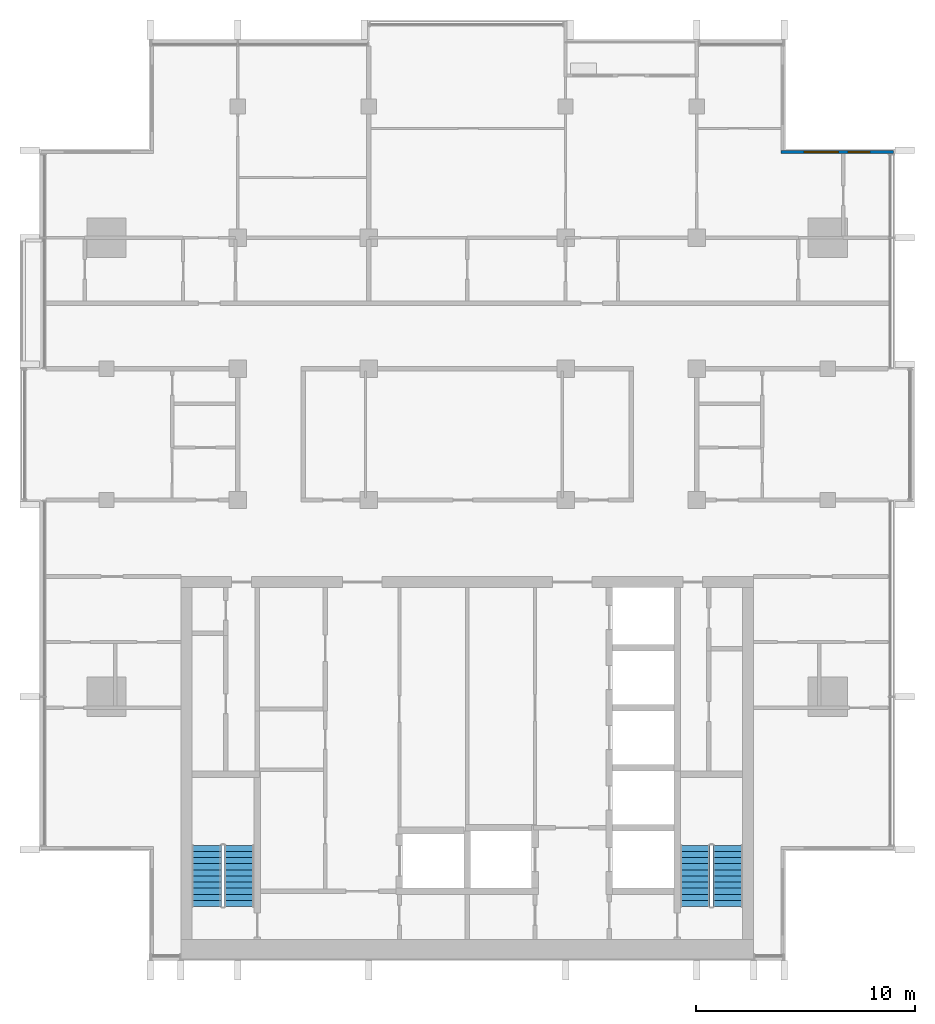
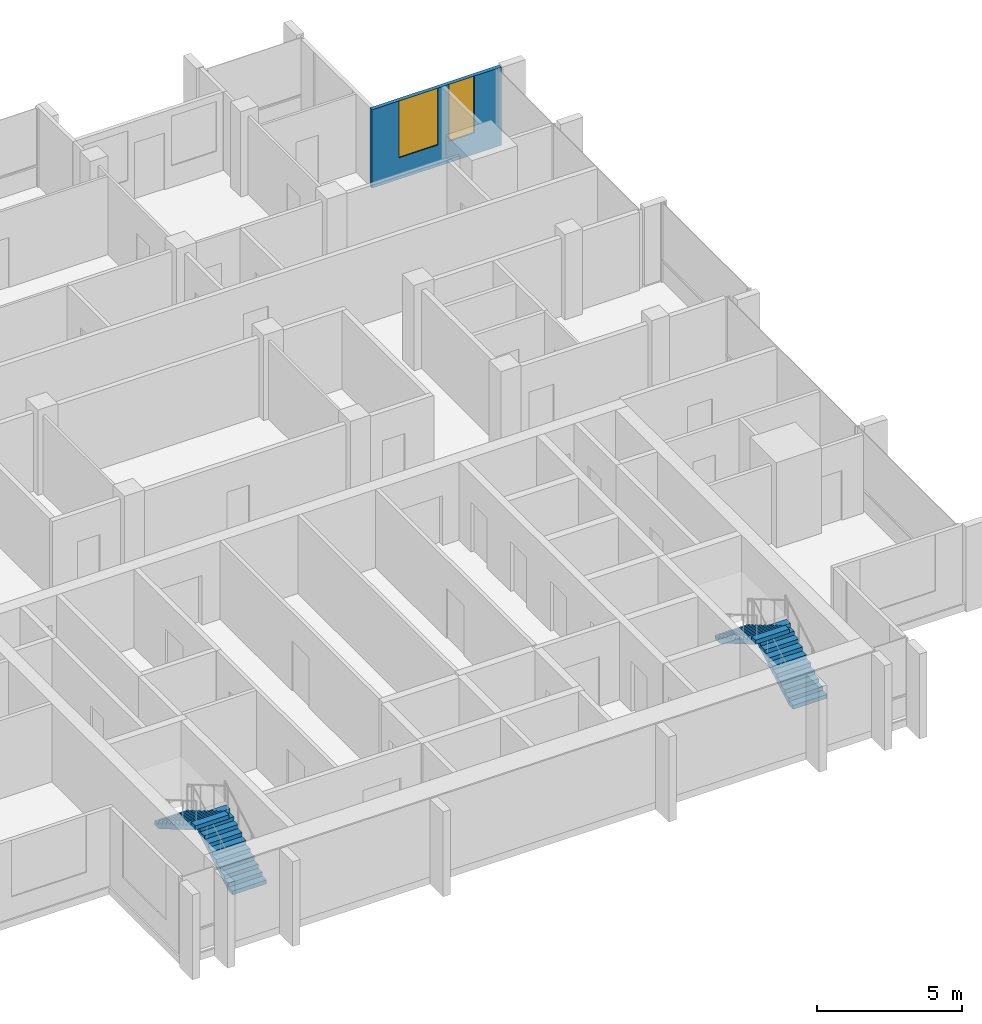
# One storey, part 11 of 16: 4 stair flights, 2 windows, 1 wall, 2 openings, 2 elements without a shape of their own.
"""IFC4 building model written with IfcOpenShell, lengths in metres."""

from ifc_helpers import new_model, si_unit, direction, frame, frame_2d, origin, place, context, subcontext, project, spatial, polyline, rectangle, outline, extrude, material, layer, layer_set, type_object, element, fill, aggregate, save


model = new_model("IFC4")

# Units and contexts
model_context = context("Model", 3, precision=1e-05, world=origin(), true_north=direction((0.0, 1.0)))
body_context = subcontext(model_context, "Body", "Model", "MODEL_VIEW")
ifc_project = project(units=[si_unit("LENGTHUNIT", "METRE"), si_unit("AREAUNIT", "SQUARE_METRE"), si_unit("VOLUMEUNIT", "CUBIC_METRE"), si_unit("PLANEANGLEUNIT", "RADIAN"), si_unit("MASSUNIT", "GRAM", prefix="KILO")], contexts=[model_context])

# Site, building, storey
site_placement = place(None, origin())
site = spatial("IfcSite", under=ifc_project, at=site_placement, CompositionType="ELEMENT")
building_placement = place(site_placement, origin())
building = spatial("IfcBuilding", under=site, at=building_placement, Name="Finial Court Residences", CompositionType="ELEMENT")
storey_placement = place(building_placement, frame((0.0, 0.0, 284.300048828125)))
storey = spatial("IfcBuildingStorey", under=building, at=storey_placement, Name="L72", CompositionType="ELEMENT", Elevation=284.300048828125)

# Wall, openings, windows
ifc_material_1 = material(Name="Natural limestone", Category="masonry")
ifc_layer = layer(ifc_material_1, 0.14990234375)
ifc_layer_set = layer_set([ifc_layer], Name="Limestone clad wall 150")
wall_type = type_object("IfcWallType", Name="Limestone clad wall 150", PredefinedType="SOLIDWALL", material=ifc_layer_set)
wall_placement = place(storey_placement, frame((14.35009765625, 11.425048828125, 0.0), z_axis=(0.0, 0.0, 1.0), x_axis=(1.0, 0.0, 0.0)))
wall = element("IfcWall", 1, at=wall_placement, inside=storey, type_object=wall_type, Name="E-L72-NWN19", PredefinedType="SOLIDWALL", context=body_context, shape_type="SweptSolid", body=[
    extrude(rectangle(XDim=5.14990234375, YDim=0.14990234375, at=frame_2d((2.574951171875, 0.0))), origin(), (0.0, 0.0, 1.0), 3.300048828125),
])
opening_1_placement = place(wall_placement, frame((1.074951171875, 0.0, 0.89990234375)))
opening_1 = element("IfcOpeningElement", 2, at=opening_1_placement, cuts=wall, Name="Opening WE72-08", PredefinedType="OPENING", context=body_context, shape_type="SweptSolid", body=[
    extrude(rectangle(XDim=1.550048828125, YDim=2.39990234375, at=frame_2d((0.77490234375, 1.199951171875))), frame((0.0, 0.0849609375, 0.0), z_axis=(0.0, -1.0, 0.0), x_axis=(1.0, 0.0, 0.0)), (0.0, 0.0, 1.0), 0.169921875),
])
opening_2_placement = place(wall_placement, frame((3.074951171875, 0.0, 0.89990234375)))
opening_2 = element("IfcOpeningElement", 3, at=opening_2_placement, cuts=wall, Name="Opening WE72-09", PredefinedType="OPENING", context=body_context, shape_type="SweptSolid", body=[
    extrude(rectangle(XDim=1.0, YDim=2.39990234375, at=frame_2d((0.5, 1.199951171875))), frame((0.0, 0.0849609375, 0.0), z_axis=(0.0, -1.0, 0.0), x_axis=(1.0, 0.0, 0.0)), (0.0, 0.0, 1.0), 0.169921875),
])
ifc_material_2 = material(Name="Clear low-e glass", Category="glass")
window_type_1 = type_object("IfcWindowType", Name="Corner window 1000 x 2400", PartitioningType="SINGLE_PANEL", PredefinedType="WINDOW", material=ifc_material_2)
window_1_placement = place(opening_2_placement, origin())
window_1 = element("IfcWindow", 4, at=window_1_placement, inside=storey, type_object=window_type_1, Name="E-L72-NWN19-W2", OverallHeight=2.39990234375, OverallWidth=1.0, PartitioningType="SINGLE_PANEL", PredefinedType="WINDOW", context=body_context, shape_type="SweptSolid", body=[
    extrude(rectangle(XDim=1.0, YDim=2.39990234375, at=frame_2d((0.5, 1.199951171875))), frame((0.0, 0.030029296875, 0.0), z_axis=(0.0, -1.0, 0.0), x_axis=(1.0, 0.0, 0.0)), (0.0, 0.0, 1.0), 0.06005859375),
])
fill(opening_2, window_1)
window_type_2 = type_object("IfcWindowType", Name="Corner window 1550 x 2400", PartitioningType="SINGLE_PANEL", PredefinedType="WINDOW", material=ifc_material_2)
window_2_placement = place(opening_1_placement, origin())
window_2 = element("IfcWindow", 5, at=window_2_placement, inside=storey, type_object=window_type_2, Name="E-L72-NWN19-W1", OverallHeight=2.39990234375, OverallWidth=1.550048828125, PartitioningType="SINGLE_PANEL", PredefinedType="WINDOW", context=body_context, shape_type="SweptSolid", body=[
    extrude(rectangle(XDim=1.550048828125, YDim=2.39990234375, at=frame_2d((0.77490234375, 1.199951171875))), frame((0.0, 0.030029296875, 0.0), z_axis=(0.0, -1.0, 0.0), x_axis=(1.0, 0.0, 0.0)), (0.0, 0.0, 1.0), 0.06005859375),
])
fill(opening_1, window_2)

# Stair, stair flights
ifc_material_3 = material(Name="Concrete C50/60", Category="concrete")
stair_type = type_object("IfcStairType", Name="Exit stair 22 risers of 163.6 mm", PredefinedType="HALF_TURN_STAIR", material=ifc_material_3)
stair_1_placement = place(storey_placement, origin())
stair_1 = element("IfcStair", 6, at=stair_1_placement, inside=storey, type_object=stair_type, Name="L72 Exit stair ST-1", PredefinedType="HALF_TURN_STAIR")
stair_flight_type = type_object("IfcStairFlightType", Name="Exit stair flight", PredefinedType="STRAIGHT", material=ifc_material_3)
stair_flight_1_placement = place(storey_placement, frame((-10.425048828125, -23.10009765625, 0.0), z_axis=(0.0, 0.0, 1.0), x_axis=(0.0, 1.0, 0.0)))
stair_flight_1 = element("IfcStairFlight", 7, at=stair_flight_1_placement, type_object=stair_flight_type, Name="ST-1 flight 1", NumberOfRisers=11, NumberOfTreads=10, PredefinedType="STRAIGHT", RiserHeight=0.163636364, TreadLength=0.28, context=body_context, shape_type="SweptSolid", body=[
    extrude(outline(polyline([(0.0, 0.0), (0.0, 0.16357421875), (0.280029296875, 0.16357421875), (0.280029296875, 0.327392578125), (0.56005859375, 0.327392578125), (0.56005859375, 0.490966796875), (0.840087890625, 0.490966796875), (0.840087890625, 0.654541015625), (1.1201171875, 0.654541015625), (1.1201171875, 0.818115234375), (1.39990234375, 0.818115234375), (1.39990234375, 0.98193359375), (1.679931640625, 0.98193359375), (1.679931640625, 1.1455078125), (1.9599609375, 1.1455078125), (1.9599609375, 1.30908203125), (2.239990234375, 1.30908203125), (2.239990234375, 1.47265625), (2.52001953125, 1.47265625), (2.52001953125, 1.636474609375), (2.800048828125, 1.636474609375), (2.800048828125, 1.800048828125), (2.800048828125, 1.462646484375), (0.297119140625, 0.0), (0.0, 0.0)])), frame((0.0, 0.675048828125, 0.0), z_axis=(0.0, -1.0, 0.0), x_axis=(1.0, 0.0, 0.0)), (0.0, 0.0, 1.0), 1.35009765625),
])
stair_flight_2_placement = place(storey_placement, frame((-11.925048828125, -20.300048828125, 1.800048828125), z_axis=(0.0, 0.0, 1.0), x_axis=(0.0, -1.0, 0.0)))
stair_flight_2 = element("IfcStairFlight", 8, at=stair_flight_2_placement, type_object=stair_flight_type, Name="ST-1 flight 2", NumberOfRisers=11, NumberOfTreads=10, PredefinedType="STRAIGHT", RiserHeight=0.163636364, TreadLength=0.28, context=body_context, shape_type="SweptSolid", body=[
    extrude(outline(polyline([(0.0, 0.0), (0.0, 0.16357421875), (0.280029296875, 0.16357421875), (0.280029296875, 0.327392578125), (0.56005859375, 0.327392578125), (0.56005859375, 0.490966796875), (0.840087890625, 0.490966796875), (0.840087890625, 0.654541015625), (1.1201171875, 0.654541015625), (1.1201171875, 0.818115234375), (1.39990234375, 0.818115234375), (1.39990234375, 0.98193359375), (1.679931640625, 0.98193359375), (1.679931640625, 1.1455078125), (1.9599609375, 1.1455078125), (1.9599609375, 1.30908203125), (2.239990234375, 1.30908203125), (2.239990234375, 1.47265625), (2.52001953125, 1.47265625), (2.52001953125, 1.636474609375), (2.800048828125, 1.636474609375), (2.800048828125, 1.800048828125), (2.800048828125, 1.462646484375), (0.297119140625, 0.0), (0.0, 0.0)])), frame((0.0, 0.675048828125, 0.0), z_axis=(0.0, -1.0, 0.0), x_axis=(1.0, 0.0, 0.0)), (0.0, 0.0, 1.0), 1.35009765625),
])
aggregate(stair_1, [stair_flight_1, stair_flight_2])

stair_2_placement = place(storey_placement, origin())
stair_2 = element("IfcStair", 9, at=stair_2_placement, inside=storey, type_object=stair_type, Name="L72 Exit stair ST-2", PredefinedType="HALF_TURN_STAIR")
stair_flight_3_placement = place(storey_placement, frame((11.925048828125, -23.10009765625, 0.0), z_axis=(0.0, 0.0, 1.0), x_axis=(0.0, 1.0, 0.0)))
stair_flight_3 = element("IfcStairFlight", 10, at=stair_flight_3_placement, type_object=stair_flight_type, Name="ST-2 flight 1", NumberOfRisers=11, NumberOfTreads=10, PredefinedType="STRAIGHT", RiserHeight=0.163636364, TreadLength=0.28, context=body_context, shape_type="SweptSolid", body=[
    extrude(outline(polyline([(0.0, 0.0), (0.0, 0.16357421875), (0.280029296875, 0.16357421875), (0.280029296875, 0.327392578125), (0.56005859375, 0.327392578125), (0.56005859375, 0.490966796875), (0.840087890625, 0.490966796875), (0.840087890625, 0.654541015625), (1.1201171875, 0.654541015625), (1.1201171875, 0.818115234375), (1.39990234375, 0.818115234375), (1.39990234375, 0.98193359375), (1.679931640625, 0.98193359375), (1.679931640625, 1.1455078125), (1.9599609375, 1.1455078125), (1.9599609375, 1.30908203125), (2.239990234375, 1.30908203125), (2.239990234375, 1.47265625), (2.52001953125, 1.47265625), (2.52001953125, 1.636474609375), (2.800048828125, 1.636474609375), (2.800048828125, 1.800048828125), (2.800048828125, 1.462646484375), (0.297119140625, 0.0), (0.0, 0.0)])), frame((0.0, 0.675048828125, 0.0), z_axis=(0.0, -1.0, 0.0), x_axis=(1.0, 0.0, 0.0)), (0.0, 0.0, 1.0), 1.35009765625),
])
stair_flight_4_placement = place(storey_placement, frame((10.425048828125, -20.300048828125, 1.800048828125), z_axis=(0.0, 0.0, 1.0), x_axis=(0.0, -1.0, 0.0)))
stair_flight_4 = element("IfcStairFlight", 11, at=stair_flight_4_placement, type_object=stair_flight_type, Name="ST-2 flight 2", NumberOfRisers=11, NumberOfTreads=10, PredefinedType="STRAIGHT", RiserHeight=0.163636364, TreadLength=0.28, context=body_context, shape_type="SweptSolid", body=[
    extrude(outline(polyline([(0.0, 0.0), (0.0, 0.16357421875), (0.280029296875, 0.16357421875), (0.280029296875, 0.327392578125), (0.56005859375, 0.327392578125), (0.56005859375, 0.490966796875), (0.840087890625, 0.490966796875), (0.840087890625, 0.654541015625), (1.1201171875, 0.654541015625), (1.1201171875, 0.818115234375), (1.39990234375, 0.818115234375), (1.39990234375, 0.98193359375), (1.679931640625, 0.98193359375), (1.679931640625, 1.1455078125), (1.9599609375, 1.1455078125), (1.9599609375, 1.30908203125), (2.239990234375, 1.30908203125), (2.239990234375, 1.47265625), (2.52001953125, 1.47265625), (2.52001953125, 1.636474609375), (2.800048828125, 1.636474609375), (2.800048828125, 1.800048828125), (2.800048828125, 1.462646484375), (0.297119140625, 0.0), (0.0, 0.0)])), frame((0.0, 0.675048828125, 0.0), z_axis=(0.0, -1.0, 0.0), x_axis=(1.0, 0.0, 0.0)), (0.0, 0.0, 1.0), 1.35009765625),
])
aggregate(stair_2, [stair_flight_3, stair_flight_4])

save(model, "model.ifc")
